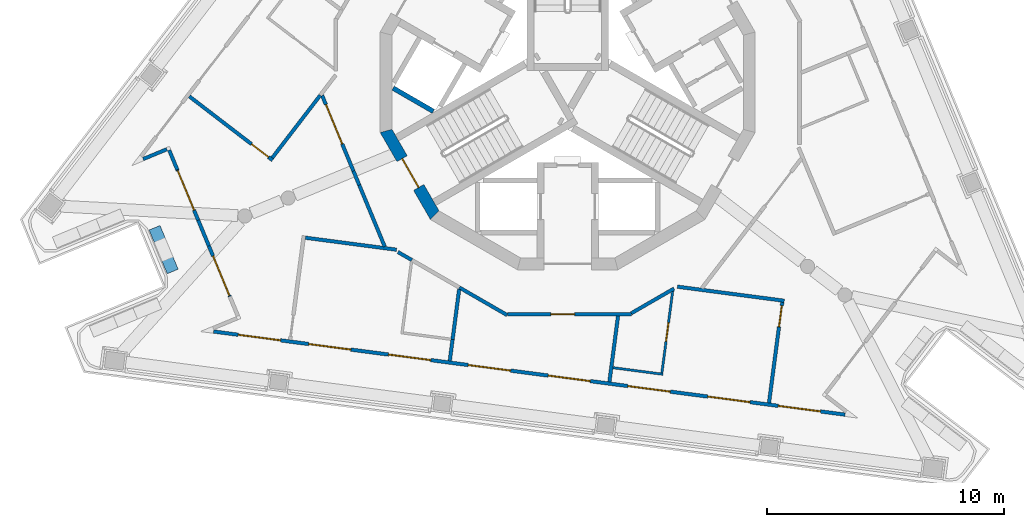
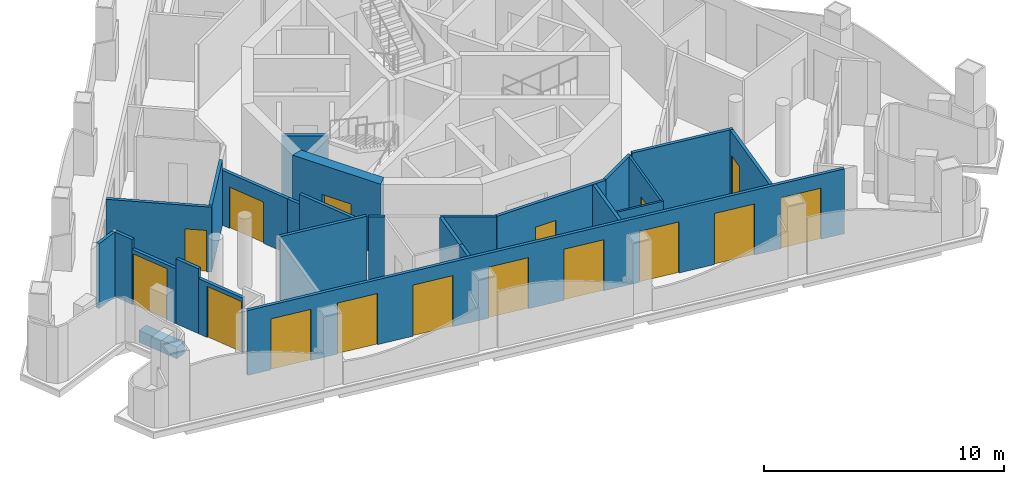
# One storey, part 2 of 12: 26 walls, 16 doors, 16 openings.
"""IFC4 building model written with IfcOpenShell, lengths in metres."""

import ifcopenshell
import ifcopenshell.guid

model = None  # the IFC model being written
_history = None  # IfcOwnerHistory: only IFC2X3 demands one
_inside = {}  # id of a spatial element -> (the spatial element, [elements in it])
_under = {}  # id of a project, library or spatial element -> (it, [spatial elements below it])
_declared = {}  # id of a project -> (the project, [libraries it declares])
_typed = {}  # id of a type object -> (the type object, [elements of that type])
_made_of = {}  # id of a material, layer set ... -> (it, [elements and type objects made of it])


def new_model(schema):
    """Start an empty IFC model of exactly this schema.

    Asked for "IFC4X3", IfcOpenShell would pick the latest addendum, in which some entities
    have other attributes; the version numbers below select the first issue.
    IFC2X3 requires an IfcOwnerHistory on every rooted entity: one is made here for all.
    """
    global model, _history
    if schema == "IFC4X3":
        model = ifcopenshell.file(schema_version=(4, 3, 0, 0))
    else:
        model = ifcopenshell.file(schema=schema)
    _inside.clear()
    _under.clear()
    _declared.clear()
    _typed.clear()
    _made_of.clear()
    _history = None
    if model.schema == "IFC2X3":
        org = make("IfcOrganization", Name="unknown")
        user = make(
            "IfcPersonAndOrganization",
            ThePerson=make("IfcPerson", FamilyName="unknown"),
            TheOrganization=org,
        )
        app = make(
            "IfcApplication",
            ApplicationDeveloper=org,
            Version="unknown",
            ApplicationFullName="unknown",
            ApplicationIdentifier="unknown",
        )
        _history = make(
            "IfcOwnerHistory",
            OwningUser=user,
            OwningApplication=app,
            ChangeAction="ADDED",
            CreationDate=0,
        )
    return model


def make(cls, **values):
    """One entity of the class cls with the attributes given. An attribute that is None is left unset."""
    return model.create_entity(
        cls, **{name: value for name, value in values.items() if value is not None}
    )


def rooted(cls, **values):
    """An entity with a GlobalId (a new one), such as an element, a storey or a relation."""
    return make(cls, GlobalId=ifcopenshell.guid.new(), OwnerHistory=_history, **values)


def si_unit(unit_type, name, prefix=None):
    """IfcSIUnit, for example si_unit("LENGTHUNIT", "METRE", prefix="MILLI")."""
    return make("IfcSIUnit", UnitType=unit_type, Prefix=prefix, Name=name)


def assignment(units):
    """IfcUnitAssignment: the units of a project."""
    return None if units is None else make("IfcUnitAssignment", Units=units)


def point(xyz):
    """IfcCartesianPoint."""
    return None if xyz is None else make("IfcCartesianPoint", Coordinates=xyz)


def direction(xyz):
    """IfcDirection."""
    return None if xyz is None else make("IfcDirection", DirectionRatios=xyz)


def frame(location, z_axis=None, x_axis=None):
    """IfcAxis2Placement3D, a coordinate frame: its origin and axes. An axis left out is left unset."""
    return make(
        "IfcAxis2Placement3D",
        Location=point(location),
        Axis=direction(z_axis),
        RefDirection=direction(x_axis),
    )


def frame_2d(location, x_axis=None):
    """IfcAxis2Placement2D, a coordinate frame in the plane: its origin and x axis."""
    return make(
        "IfcAxis2Placement2D", Location=point(location), RefDirection=direction(x_axis)
    )


def origin():
    """The frame at (0, 0, 0) with its axes left unset."""
    return frame((0.0, 0.0, 0.0))


def place(relative_to, where):
    """IfcLocalPlacement: puts the frame where relative to a parent placement (None: the world)."""
    return make(
        "IfcLocalPlacement", PlacementRelTo=relative_to, RelativePlacement=where
    )


def context(
    kind, dimensions, precision=None, world=None, true_north=None, identifier=None
):
    """IfcGeometricRepresentationContext, for example the 3D "Model" context."""
    return make(
        "IfcGeometricRepresentationContext",
        ContextIdentifier=identifier,
        ContextType=kind,
        CoordinateSpaceDimension=dimensions,
        Precision=precision,
        WorldCoordinateSystem=world,
        TrueNorth=true_north,
    )


def subcontext(parent, identifier, kind, view, scale=None):
    """IfcGeometricRepresentationSubContext, for example "Body" below "Model"."""
    return make(
        "IfcGeometricRepresentationSubContext",
        ContextIdentifier=identifier,
        ContextType=kind,
        ParentContext=parent,
        TargetScale=scale,
        TargetView=view,
    )


def project(units=None, contexts=None):
    """IfcProject with its units and contexts."""
    return rooted(
        "IfcProject",
        Name="project",
        RepresentationContexts=contexts,
        UnitsInContext=assignment(units),
    )


def spatial(cls, under=None, at=None, **own):
    """A site, building, storey or space (cls), placed at a placement, below another one or the project."""
    s = rooted(cls, ObjectPlacement=at, **own)
    if under is not None:
        _under.setdefault(under.id(), (under, []))[1].append(s)
    return s


def polyline(points):
    """IfcPolyline through the points."""
    return make("IfcPolyline", Points=[point(p) for p in points])


def profile(cls, at=None, kind="AREA", **sizes):
    """A parametric profile (cls). Its sizes go by their IFC names, for example OverallWidth=200.0."""
    return make(cls, ProfileType=kind, Position=at, **sizes)


def rectangle(**sizes):
    """IfcRectangleProfileDef."""
    return profile("IfcRectangleProfileDef", **sizes)


def outline(outer, holes=None, kind="AREA"):
    """IfcArbitraryClosedProfileDef: a profile drawn as a closed curve; with holes, ...WithVoids."""
    if holes is None:
        return make("IfcArbitraryClosedProfileDef", ProfileType=kind, OuterCurve=outer)
    return make(
        "IfcArbitraryProfileDefWithVoids",
        ProfileType=kind,
        OuterCurve=outer,
        InnerCurves=holes,
    )


def extrude(swept, where, along, depth):
    """IfcExtrudedAreaSolid: the profile swept, set in the frame where, extruded along a direction by depth."""
    return make(
        "IfcExtrudedAreaSolid",
        SweptArea=swept,
        Position=where,
        ExtrudedDirection=direction(along),
        Depth=depth,
    )


def shape(context_of_items, identifier, shape_type, items):
    """IfcShapeRepresentation: the items that make up one representation, for example the "Body"."""
    return make(
        "IfcShapeRepresentation",
        ContextOfItems=context_of_items,
        RepresentationIdentifier=identifier,
        RepresentationType=shape_type,
        Items=items,
    )


def material(Name=None, Category=None):
    """IfcMaterial."""
    return make("IfcMaterial", Name=Name, Category=Category)


def layer(
    of_material, thickness, ventilated=None, Name=None, Category=None, Priority=None
):
    """IfcMaterialLayer: one layer of a wall or slab, of a material (None: an air gap)."""
    return make(
        "IfcMaterialLayer",
        Material=of_material,
        LayerThickness=thickness,
        IsVentilated=ventilated,
        Name=Name,
        Category=Category,
        Priority=Priority,
    )


def layer_set(layers, Name=None):
    """IfcMaterialLayerSet."""
    return make("IfcMaterialLayerSet", MaterialLayers=layers, LayerSetName=Name)


def made_of(thing, what):
    """Note that an element or type object is made of a material, layer set ...; save() writes the relation."""
    if what is not None:
        _made_of.setdefault(what.id(), (what, []))[1].append(thing)
    return thing


def type_object(cls, material=None, **own):
    """A type object (cls), such as IfcWallType, which elements share."""
    return made_of(rooted(cls, **own), material)


def element(
    cls,
    number,
    at=None,
    inside=None,
    cuts=None,
    type_object=None,
    material=None,
    context=None,
    identifier="Body",
    shape_type=None,
    held_by="IfcProductDefinitionShape",
    body=None,
    shapes=None,
    **own,
):
    """One element of the class cls, such as IfcWall. Its Tag is "e" and its number.

    at: its placement. inside: the storey or other place that contains it. cuts: it is an
    opening in that element (IfcRelVoidsElement). A single representation is given by context,
    identifier, shape_type and body (its items); several are given by shapes. held_by: the class
    of the entity that holds the representations. save() writes the other relations.
    """
    e = rooted(cls, Tag="e%d" % number, ObjectPlacement=at, **own)
    if body is not None:
        shapes = [shape(context, identifier, shape_type, body)]
    if shapes is not None:
        e.Representation = make(held_by, Representations=shapes)
    if inside is not None:
        _inside.setdefault(inside.id(), (inside, []))[1].append(e)
    if cuts is not None:
        rooted(
            "IfcRelVoidsElement", RelatingBuildingElement=cuts, RelatedOpeningElement=e
        )
    if type_object is not None:
        _typed.setdefault(type_object.id(), (type_object, []))[1].append(e)
    return made_of(e, material)


def fill(opening, filler):
    """IfcRelFillsElement: the door or window that sits in an opening."""
    return rooted(
        "IfcRelFillsElement",
        RelatingOpeningElement=opening,
        RelatedBuildingElement=filler,
    )


def aggregate(whole, parts):
    """IfcRelAggregates: a whole, such as a stair, and the parts it consists of."""
    return rooted("IfcRelAggregates", RelatingObject=whole, RelatedObjects=parts)


def save(model, path):
    """Write the relations noted so far, then the file.

    IfcRelAggregates (storeys below a building ...), IfcRelContainedInSpatialStructure (elements
    in a storey), IfcRelDefinesByType, IfcRelAssociatesMaterial and IfcRelDeclares: one each for
    every whole, place, type object, material and project.
    """
    for whole, parts in _under.values():
        aggregate(whole, parts)
    for where, things in _inside.values():
        rooted(
            "IfcRelContainedInSpatialStructure",
            RelatedElements=things,
            RelatingStructure=where,
        )
    for kind, things in _typed.values():
        rooted("IfcRelDefinesByType", RelatedObjects=things, RelatingType=kind)
    for what, things in _made_of.values():
        rooted("IfcRelAssociatesMaterial", RelatedObjects=things, RelatingMaterial=what)
    for by, libraries in _declared.values():
        rooted("IfcRelDeclares", RelatingContext=by, RelatedDefinitions=libraries)
    model.write(path)


model = new_model("IFC4")

# Units and contexts
model_context = context("Model", 3, precision=1e-05, world=origin(), true_north=direction((0.0, 1.0)))
body_context = subcontext(model_context, "Body", "Model", "MODEL_VIEW")
ifc_project = project(units=[si_unit("LENGTHUNIT", "METRE"), si_unit("AREAUNIT", "SQUARE_METRE"), si_unit("VOLUMEUNIT", "CUBIC_METRE"), si_unit("PLANEANGLEUNIT", "RADIAN"), si_unit("MASSUNIT", "GRAM", prefix="KILO")], contexts=[model_context])

# Site, building, storey
site_placement = place(None, origin())
site = spatial("IfcSite", under=ifc_project, at=site_placement, CompositionType="ELEMENT")
building_placement = place(site_placement, origin())
building = spatial("IfcBuilding", under=site, at=building_placement, Name="Trine Commons Tower", CompositionType="ELEMENT")
storey_placement = place(building_placement, frame((0.0, 0.0, 293.39990234375)))
storey = spatial("IfcBuildingStorey", under=building, at=storey_placement, Name="L77", CompositionType="ELEMENT", Elevation=293.39990234375)

# Wall, openings, doors
ifc_material_1 = material(Name="Aluminium-framed insulated wall panel", Category="aluminium")
ifc_layer_1 = layer(ifc_material_1, 0.14990234375)
ifc_layer_set_1 = layer_set([ifc_layer_1], Name="Aluminium-framed insulated wall panel")
wall_type_1 = type_object("IfcWallType", Name="Glazed frame wall 150, EI 60", PredefinedType="SOLIDWALL", material=ifc_layer_set_1)
wall_1_placement = place(storey_placement, frame((91.869140625, 48.4384765625, 0.0), z_axis=(0.0, 0.0, 1.0), x_axis=(-0.991445282789, 0.130522991213, 0.0)))
wall_1 = element("IfcWall", 1, at=wall_1_placement, inside=storey, type_object=wall_type_1, Name="Glazed frame wall F3", PredefinedType="SOLIDWALL", context=body_context, shape_type="SweptSolid", body=[
    extrude(outline(polyline([(0.1494140625, 0.074951171875), (0.1494140625, -0.074951171875), (27.056884765625, -0.074951171875), (27.056884765625, 0.074951171875), (0.1494140625, 0.074951171875)])), origin(), (0.0, 0.0, 1.0), 3.300048828125),
])
opening_1_placement = place(wall_1_placement, frame((1.200439453125, 0.0, 0.0)))
opening_1 = element("IfcOpeningElement", 2, at=opening_1_placement, cuts=wall_1, Name="Opening BD-8F3-01", PredefinedType="OPENING", context=body_context, shape_type="SweptSolid", body=[
    extrude(rectangle(XDim=1.800048828125, YDim=2.60009765625, at=frame_2d((0.89990234375, 1.300048828125))), frame((0.0, 0.0849609375, 0.0), z_axis=(0.0, -1.0, 0.0), x_axis=(1.0, 0.0, 0.0)), (0.0, 0.0, 1.0), 0.169921875),
])
opening_2_placement = place(wall_1_placement, frame((4.201171875, 0.0, 0.0)))
opening_2 = element("IfcOpeningElement", 3, at=opening_2_placement, cuts=wall_1, Name="Opening BD-8F3-02", PredefinedType="OPENING", context=body_context, shape_type="SweptSolid", body=[
    extrude(rectangle(XDim=1.800048828125, YDim=2.60009765625, at=frame_2d((0.89990234375, 1.300048828125))), frame((0.0, 0.0849609375, 0.0), z_axis=(0.0, -1.0, 0.0), x_axis=(1.0, 0.0, 0.0)), (0.0, 0.0, 1.0), 0.169921875),
])
opening_3_placement = place(wall_1_placement, frame((7.60205078125, 0.0, 0.0)))
opening_3 = element("IfcOpeningElement", 4, at=opening_3_placement, cuts=wall_1, Name="Opening BD-8F3-03", PredefinedType="OPENING", context=body_context, shape_type="SweptSolid", body=[
    extrude(rectangle(XDim=1.800048828125, YDim=2.60009765625, at=frame_2d((0.89990234375, 1.300048828125))), frame((0.0, 0.0849609375, 0.0), z_axis=(0.0, -1.0, 0.0), x_axis=(1.0, 0.0, 0.0)), (0.0, 0.0, 1.0), 0.169921875),
])
opening_4_placement = place(wall_1_placement, frame((11.002685546875, 0.0, 0.0)))
opening_4 = element("IfcOpeningElement", 5, at=opening_4_placement, cuts=wall_1, Name="Opening BD-8F3-04", PredefinedType="OPENING", context=body_context, shape_type="SweptSolid", body=[
    extrude(rectangle(XDim=1.800048828125, YDim=2.60009765625, at=frame_2d((0.89990234375, 1.300048828125))), frame((0.0, 0.0849609375, 0.0), z_axis=(0.0, -1.0, 0.0), x_axis=(1.0, 0.0, 0.0)), (0.0, 0.0, 1.0), 0.169921875),
])
opening_5_placement = place(wall_1_placement, frame((14.403564453125, 0.0, 0.0)))
opening_5 = element("IfcOpeningElement", 6, at=opening_5_placement, cuts=wall_1, Name="Opening BD-8F3-05", PredefinedType="OPENING", context=body_context, shape_type="SweptSolid", body=[
    extrude(rectangle(XDim=1.800048828125, YDim=2.60009765625, at=frame_2d((0.89990234375, 1.300048828125))), frame((0.0, 0.0849609375, 0.0), z_axis=(0.0, -1.0, 0.0), x_axis=(1.0, 0.0, 0.0)), (0.0, 0.0, 1.0), 0.169921875),
])
opening_6_placement = place(wall_1_placement, frame((17.804443359375, 0.0, 0.0)))
opening_6 = element("IfcOpeningElement", 7, at=opening_6_placement, cuts=wall_1, Name="Opening BD-8F3-06", PredefinedType="OPENING", context=body_context, shape_type="SweptSolid", body=[
    extrude(rectangle(XDim=1.800048828125, YDim=2.60009765625, at=frame_2d((0.89990234375, 1.300048828125))), frame((0.0, 0.0849609375, 0.0), z_axis=(0.0, -1.0, 0.0), x_axis=(1.0, 0.0, 0.0)), (0.0, 0.0, 1.0), 0.169921875),
])
opening_7_placement = place(wall_1_placement, frame((21.205078125, 0.0, 0.0)))
opening_7 = element("IfcOpeningElement", 8, at=opening_7_placement, cuts=wall_1, Name="Opening BD-8F3-07", PredefinedType="OPENING", context=body_context, shape_type="SweptSolid", body=[
    extrude(rectangle(XDim=1.800048828125, YDim=2.60009765625, at=frame_2d((0.89990234375, 1.300048828125))), frame((0.0, 0.0849609375, 0.0), z_axis=(0.0, -1.0, 0.0), x_axis=(1.0, 0.0, 0.0)), (0.0, 0.0, 1.0), 0.169921875),
])
opening_8_placement = place(wall_1_placement, frame((24.2060546875, 0.0, 0.0)))
opening_8 = element("IfcOpeningElement", 9, at=opening_8_placement, cuts=wall_1, Name="Opening BD-8F3-08", PredefinedType="OPENING", context=body_context, shape_type="SweptSolid", body=[
    extrude(rectangle(XDim=1.800048828125, YDim=2.60009765625, at=frame_2d((0.89990234375, 1.300048828125))), frame((0.0, 0.0849609375, 0.0), z_axis=(0.0, -1.0, 0.0), x_axis=(1.0, 0.0, 0.0)), (0.0, 0.0, 1.0), 0.169921875),
])
ifc_material_2 = material(Name="Anodised aluminium frame with double glazing", Category="aluminium")
door_type_1 = type_object("IfcDoorType", Name="Sliding loggia door 1800x2600", OperationType="SLIDING_TO_LEFT", PredefinedType="DOOR", material=ifc_material_2)
door_1_placement = place(opening_1_placement, origin())
door_1 = element("IfcDoor", 10, at=door_1_placement, inside=storey, type_object=door_type_1, Name="Loggia door F3 1", OperationType="SLIDING_TO_LEFT", OverallHeight=2.60009765625, OverallWidth=1.800048828125, PredefinedType="DOOR", context=body_context, shape_type="SweptSolid", body=[
    extrude(rectangle(XDim=1.800048828125, YDim=2.60009765625, at=frame_2d((0.89990234375, 1.300048828125))), frame((0.0, 0.02490234375, 0.0), z_axis=(0.0, -1.0, 0.0), x_axis=(1.0, 0.0, 0.0)), (0.0, 0.0, 1.0), 0.050048828125),
])
fill(opening_1, door_1)
door_2_placement = place(opening_2_placement, origin())
door_2 = element("IfcDoor", 11, at=door_2_placement, inside=storey, type_object=door_type_1, Name="Loggia door F3 2", OperationType="SLIDING_TO_LEFT", OverallHeight=2.60009765625, OverallWidth=1.800048828125, PredefinedType="DOOR", context=body_context, shape_type="SweptSolid", body=[
    extrude(rectangle(XDim=1.800048828125, YDim=2.60009765625, at=frame_2d((0.89990234375, 1.300048828125))), frame((0.0, 0.02490234375, 0.0), z_axis=(0.0, -1.0, 0.0), x_axis=(1.0, 0.0, 0.0)), (0.0, 0.0, 1.0), 0.050048828125),
])
fill(opening_2, door_2)
door_3_placement = place(opening_3_placement, origin())
door_3 = element("IfcDoor", 12, at=door_3_placement, inside=storey, type_object=door_type_1, Name="Loggia door F3 3", OperationType="SLIDING_TO_LEFT", OverallHeight=2.60009765625, OverallWidth=1.800048828125, PredefinedType="DOOR", context=body_context, shape_type="SweptSolid", body=[
    extrude(rectangle(XDim=1.800048828125, YDim=2.60009765625, at=frame_2d((0.89990234375, 1.300048828125))), frame((0.0, 0.02490234375, 0.0), z_axis=(0.0, -1.0, 0.0), x_axis=(1.0, 0.0, 0.0)), (0.0, 0.0, 1.0), 0.050048828125),
])
fill(opening_3, door_3)
door_4_placement = place(opening_4_placement, origin())
door_4 = element("IfcDoor", 13, at=door_4_placement, inside=storey, type_object=door_type_1, Name="Loggia door F3 4", OperationType="SLIDING_TO_LEFT", OverallHeight=2.60009765625, OverallWidth=1.800048828125, PredefinedType="DOOR", context=body_context, shape_type="SweptSolid", body=[
    extrude(rectangle(XDim=1.800048828125, YDim=2.60009765625, at=frame_2d((0.89990234375, 1.300048828125))), frame((0.0, 0.02490234375, 0.0), z_axis=(0.0, -1.0, 0.0), x_axis=(1.0, 0.0, 0.0)), (0.0, 0.0, 1.0), 0.050048828125),
])
fill(opening_4, door_4)
door_5_placement = place(opening_5_placement, origin())
door_5 = element("IfcDoor", 14, at=door_5_placement, inside=storey, type_object=door_type_1, Name="Loggia door F3 5", OperationType="SLIDING_TO_LEFT", OverallHeight=2.60009765625, OverallWidth=1.800048828125, PredefinedType="DOOR", context=body_context, shape_type="SweptSolid", body=[
    extrude(rectangle(XDim=1.800048828125, YDim=2.60009765625, at=frame_2d((0.89990234375, 1.300048828125))), frame((0.0, 0.02490234375, 0.0), z_axis=(0.0, -1.0, 0.0), x_axis=(1.0, 0.0, 0.0)), (0.0, 0.0, 1.0), 0.050048828125),
])
fill(opening_5, door_5)
door_6_placement = place(opening_6_placement, origin())
door_6 = element("IfcDoor", 15, at=door_6_placement, inside=storey, type_object=door_type_1, Name="Loggia door F3 6", OperationType="SLIDING_TO_LEFT", OverallHeight=2.60009765625, OverallWidth=1.800048828125, PredefinedType="DOOR", context=body_context, shape_type="SweptSolid", body=[
    extrude(rectangle(XDim=1.800048828125, YDim=2.60009765625, at=frame_2d((0.89990234375, 1.300048828125))), frame((0.0, 0.02490234375, 0.0), z_axis=(0.0, -1.0, 0.0), x_axis=(1.0, 0.0, 0.0)), (0.0, 0.0, 1.0), 0.050048828125),
])
fill(opening_6, door_6)
door_7_placement = place(opening_7_placement, origin())
door_7 = element("IfcDoor", 16, at=door_7_placement, inside=storey, type_object=door_type_1, Name="Loggia door F3 7", OperationType="SLIDING_TO_LEFT", OverallHeight=2.60009765625, OverallWidth=1.800048828125, PredefinedType="DOOR", context=body_context, shape_type="SweptSolid", body=[
    extrude(rectangle(XDim=1.800048828125, YDim=2.60009765625, at=frame_2d((0.89990234375, 1.300048828125))), frame((0.0, 0.02490234375, 0.0), z_axis=(0.0, -1.0, 0.0), x_axis=(1.0, 0.0, 0.0)), (0.0, 0.0, 1.0), 0.050048828125),
])
fill(opening_7, door_7)
door_8_placement = place(opening_8_placement, origin())
door_8 = element("IfcDoor", 17, at=door_8_placement, inside=storey, type_object=door_type_1, Name="Loggia door F3 8", OperationType="SLIDING_TO_LEFT", OverallHeight=2.60009765625, OverallWidth=1.800048828125, PredefinedType="DOOR", context=body_context, shape_type="SweptSolid", body=[
    extrude(rectangle(XDim=1.800048828125, YDim=2.60009765625, at=frame_2d((0.89990234375, 1.300048828125))), frame((0.0, 0.02490234375, 0.0), z_axis=(0.0, -1.0, 0.0), x_axis=(1.0, 0.0, 0.0)), (0.0, 0.0, 1.0), 0.050048828125),
])
fill(opening_8, door_8)

# Wall, opening, door
wall_2_placement = place(storey_placement, frame((65.72802734375, 53.449462890625, 0.0), z_axis=(0.0, 0.0, 1.0), x_axis=(-0.382693948857, 0.923875176368, 0.0)))
wall_2 = element("IfcWall", 18, at=wall_2_placement, inside=storey, type_object=wall_type_1, Name="Glazed frame wall P3.2", PredefinedType="SOLIDWALL", context=body_context, shape_type="SweptSolid", body=[
    extrude(outline(polyline([(0.0, -0.074951171875), (2.310791015625, -0.074951171875), (2.310791015625, 0.074951171875), (0.0, 0.074951171875), (0.0, -0.074951171875)])), origin(), (0.0, 0.0, 1.0), 2.800048828125),
])
opening_9_placement = place(wall_2_placement, frame((0.050048828125, 0.0, 0.0)))
opening_9 = element("IfcOpeningElement", 19, at=opening_9_placement, cuts=wall_2, Name="Opening BD-8P3-01", PredefinedType="OPENING", context=body_context, shape_type="SweptSolid", body=[
    extrude(rectangle(XDim=1.800048828125, YDim=2.60009765625, at=frame_2d((0.89990234375, 1.300048828125))), frame((0.0, 0.0849609375, 0.0), z_axis=(0.0, -1.0, 0.0), x_axis=(1.0, 0.0, 0.0)), (0.0, 0.0, 1.0), 0.169921875),
])
door_9_placement = place(opening_9_placement, origin())
door_9 = element("IfcDoor", 20, at=door_9_placement, inside=storey, type_object=door_type_1, Name="Loggia door P3 1", OperationType="SLIDING_TO_LEFT", OverallHeight=2.60009765625, OverallWidth=1.800048828125, PredefinedType="DOOR", context=body_context, shape_type="SweptSolid", body=[
    extrude(rectangle(XDim=1.800048828125, YDim=2.60009765625, at=frame_2d((0.89990234375, 1.300048828125))), frame((0.0, 0.02490234375, 0.0), z_axis=(0.0, -1.0, 0.0), x_axis=(1.0, 0.0, 0.0)), (0.0, 0.0, 1.0), 0.050048828125),
])
fill(opening_9, door_9)

# Wall
wall_3_placement = place(storey_placement, frame((64.84375, 55.584228515625, 0.0), z_axis=(0.0, 0.0, 1.0), x_axis=(-0.382790839847, 0.923835035561, 0.0)))
element("IfcWall", 21, at=wall_3_placement, inside=storey, type_object=wall_type_1, Name="Glazed frame wall P3.3", PredefinedType="SOLIDWALL", context=body_context, shape_type="SweptSolid", body=[
    extrude(outline(polyline([(0.0, -0.074951171875), (1.1787109375, -0.074951171875), (1.1787109375, 0.074951171875), (0.0, 0.074951171875), (0.0, -0.074951171875)])), origin(), (0.0, 0.0, 1.0), 3.300048828125),
])

# Wall, opening, door
wall_4_placement = place(storey_placement, frame((64.392578125, 56.673095703125, 0.0), z_axis=(0.0, 0.0, 1.0), x_axis=(-0.382693948857, 0.923875176368, 0.0)))
wall_4 = element("IfcWall", 22, at=wall_4_placement, inside=storey, type_object=wall_type_1, Name="Glazed frame wall P3.4", PredefinedType="SOLIDWALL", context=body_context, shape_type="SweptSolid", body=[
    extrude(outline(polyline([(0.0, -0.074951171875), (2.310546875, -0.074951171875), (2.310546875, 0.074951171875), (0.0, 0.074951171875), (0.0, -0.074951171875)])), origin(), (0.0, 0.0, 1.0), 2.800048828125),
])
opening_10_placement = place(wall_4_placement, frame((0.460693359375, 0.0, 0.0)))
opening_10 = element("IfcOpeningElement", 23, at=opening_10_placement, cuts=wall_4, Name="Opening BD-8P3-02", PredefinedType="OPENING", context=body_context, shape_type="SweptSolid", body=[
    extrude(rectangle(XDim=1.800048828125, YDim=2.60009765625, at=frame_2d((0.89990234375, 1.300048828125))), frame((0.0, 0.0849609375, 0.0), z_axis=(0.0, -1.0, 0.0), x_axis=(1.0, 0.0, 0.0)), (0.0, 0.0, 1.0), 0.169921875),
])
door_10_placement = place(opening_10_placement, origin())
door_10 = element("IfcDoor", 24, at=door_10_placement, inside=storey, type_object=door_type_1, Name="Loggia door P3 2", OperationType="SLIDING_TO_LEFT", OverallHeight=2.60009765625, OverallWidth=1.800048828125, PredefinedType="DOOR", context=body_context, shape_type="SweptSolid", body=[
    extrude(rectangle(XDim=1.800048828125, YDim=2.60009765625, at=frame_2d((0.89990234375, 1.300048828125))), frame((0.0, 0.02490234375, 0.0), z_axis=(0.0, -1.0, 0.0), x_axis=(1.0, 0.0, 0.0)), (0.0, 0.0, 1.0), 0.050048828125),
])
fill(opening_10, door_10)

# Walls
wall_5_placement = place(storey_placement, frame((63.50830078125, 58.807861328125, 0.0), z_axis=(0.0, 0.0, 1.0), x_axis=(-0.382603377961, 0.923912688068, 0.0)))
element("IfcWall", 25, at=wall_5_placement, inside=storey, type_object=wall_type_1, Name="Glazed frame wall P3.5", PredefinedType="SOLIDWALL", context=body_context, shape_type="SweptSolid", body=[
    extrude(outline(polyline([(0.889892578125, 0.074951171875), (0.0, 0.074951171875), (0.0, -0.074951171875), (0.889892578125, -0.074951171875), (0.889892578125, 0.074951171875)])), origin(), (0.0, 0.0, 1.0), 3.300048828125),
])
wall_6_placement = place(storey_placement, frame((63.17138671875, 59.712890625, 0.0), z_axis=(0.0, 0.0, 1.0), x_axis=(-0.923837625967, -0.382784588048, 0.0)))
element("IfcWall", 26, at=wall_6_placement, inside=storey, type_object=wall_type_1, Name="Glazed frame wall R12", PredefinedType="SOLIDWALL", context=body_context, shape_type="SweptSolid", body=[
    extrude(outline(polyline([(0.110107421875, 0.074951171875), (0.110107421875, -0.074951171875), (1.19580078125, -0.074951171875), (1.19580078125, 0.074951171875), (0.110107421875, 0.074951171875)])), origin(), (0.0, 0.0, 1.0), 3.300048828125),
])
ifc_material_3 = material(Name="Planter trough, precast concrete C40/50", Category="concrete")
ifc_layer_2 = layer(ifc_material_3, 0.5)
ifc_layer_set_2 = layer_set([ifc_layer_2], Name="Planter trough, precast concrete C40/50")
wall_type_2 = type_object("IfcWallType", Name="Planter trough 500x600", PredefinedType="PARAPET", material=ifc_layer_set_2)
wall_7_placement = place(storey_placement, frame((63.314697265625, 54.50634765625, 0.0), z_axis=(0.0, 0.0, 1.0), x_axis=(-0.382707581205, 0.923869529365, 0.0)))
element("IfcWall", 27, at=wall_7_placement, inside=storey, type_object=wall_type_2, Name="Planter 2", PredefinedType="PARAPET", context=body_context, shape_type="SweptSolid", body=[
    extrude(rectangle(XDim=2.0, YDim=0.5, at=frame_2d((1.0, 0.0))), origin(), (0.0, 0.0, 1.0), 0.60009765625),
])

# Wall, opening, door
ifc_material_4 = material(Name="Concrete C50/60", Category="concrete")
ifc_layer_3 = layer(ifc_material_4, 0.5)
ifc_layer_set_3 = layer_set([ifc_layer_3], Name="Concrete C50/60")
wall_type_3 = type_object("IfcWallType", Name="RC shear wall 500 mm, C50/60", PredefinedType="SHEAR", material=ifc_layer_set_3)
wall_8_placement = place(storey_placement, frame((72.2958984375, 60.502685546875, 0.0), z_axis=(0.0, 0.0, 1.0), x_axis=(0.499992968425, -0.866029463428, 0.0)))
wall_8 = element("IfcWall", 28, at=wall_8_placement, inside=storey, type_object=wall_type_3, Name="Core wall CWH-08 L77", PredefinedType="SHEAR", context=body_context, shape_type="SweptSolid", body=[
    extrude(outline(polyline([(0.0, -0.25), (4.24462890625, -0.25), (4.110595703125, 0.25), (0.134033203125, 0.25), (0.0, -0.25)])), origin(), (0.0, 0.0, 1.0), 3.60009765625),
])
opening_11_placement = place(wall_8_placement, frame((1.42236328125, 0.0, 0.0)))
opening_11 = element("IfcOpeningElement", 29, at=opening_11_placement, cuts=wall_8, Name="Opening K19.02", PredefinedType="OPENING", context=body_context, shape_type="SweptSolid", body=[
    extrude(rectangle(XDim=1.39990234375, YDim=2.10009765625, at=frame_2d((0.699951171875, 1.050048828125))), frame((0.0, 0.260009765625, 0.0), z_axis=(0.0, -1.0, 0.0), x_axis=(1.0, 0.0, 0.0)), (0.0, 0.0, 1.0), 0.52001953125),
])
ifc_material_5 = material(Name="Steel door leaves, fire-rated", Category="steel")
door_type_2 = type_object("IfcDoorType", Name="Stair door, double leaf 1400 x 2100, FD90", OperationType="DOUBLE_DOOR_SINGLE_SWING", PredefinedType="DOOR", material=ifc_material_5)
door_11_placement = place(opening_11_placement, origin())
door_11 = element("IfcDoor", 30, at=door_11_placement, inside=storey, type_object=door_type_2, Name="Stair door to Exit stair ST2D L77", OperationType="DOUBLE_DOOR_SINGLE_SWING", OverallHeight=2.10009765625, OverallWidth=1.39990234375, PredefinedType="DOOR", context=body_context, shape_type="SweptSolid", body=[
    extrude(rectangle(XDim=1.39990234375, YDim=2.10009765625, at=frame_2d((0.699951171875, 1.050048828125))), frame((0.0, 0.02490234375, 0.0), z_axis=(0.0, -1.0, 0.0), x_axis=(1.0, 0.0, 0.0)), (0.0, 0.0, 1.0), 0.050048828125),
])
fill(opening_11, door_11)

# Wall
ifc_material_6 = material(Name="Fire-rated gypsum shaft wall system")
ifc_layer_4 = layer(ifc_material_6, 0.199951171875)
ifc_layer_set_4 = layer_set([ifc_layer_4], Name="Fire-rated gypsum shaft wall system")
wall_type_4 = type_object("IfcWallType", Name="Shaft wall 200 mm, EI 120", PredefinedType="PARTITIONING", material=ifc_layer_set_4)
wall_9_placement = place(storey_placement, frame((74.324951171875, 61.27294921875, 0.0), z_axis=(0.0, 0.0, 1.0), x_axis=(-0.86585547495, 0.500294209939, 0.0)))
element("IfcWall", 31, at=wall_9_placement, inside=storey, type_object=wall_type_4, Name="Shaft wall L77", PredefinedType="PARTITIONING", context=body_context, shape_type="SweptSolid", body=[
    extrude(rectangle(XDim=1.958740234375, YDim=0.199951171875, at=frame_2d((0.9794921875, 0.0))), origin(), (0.0, 0.0, 1.0), 3.300048828125),
])

# Wall, opening, door
ifc_material_7 = material(Name="Gypsum plasterboard on steel stud", Category="steel")
ifc_layer_5 = layer(ifc_material_7, 0.14990234375)
ifc_layer_set_5 = layer_set([ifc_layer_5], Name="Gypsum plasterboard on steel stud")
wall_type_5 = type_object("IfcWallType", Name="Unit and corridor wall 150 mm, EI 60", PredefinedType="PARTITIONING", material=ifc_layer_set_5)
wall_10_placement = place(storey_placement, frame((64.017578125, 61.903564453125, 0.0), z_axis=(0.0, 0.0, 1.0), x_axis=(0.793364364442, -0.608747061786, 0.0)))
wall_10 = element("IfcWall", 32, at=wall_10_placement, inside=storey, type_object=wall_type_5, Name="Partition 001", PredefinedType="PARTITIONING", context=body_context, shape_type="SweptSolid", body=[
    extrude(rectangle(XDim=4.43408203125, YDim=0.14990234375, at=frame_2d((2.217041015625, 0.0))), origin(), (0.0, 0.0, 1.0), 3.300048828125),
])
opening_12_placement = place(wall_10_placement, frame((3.30908203125, 0.0, 0.0)))
opening_12 = element("IfcOpeningElement", 33, at=opening_12_placement, cuts=wall_10, Name="Opening D-8C04", PredefinedType="OPENING", context=body_context, shape_type="SweptSolid", body=[
    extrude(rectangle(XDim=0.89990234375, YDim=2.10009765625, at=frame_2d((0.449951171875, 1.050048828125))), frame((0.0, 0.0849609375, 0.0), z_axis=(0.0, -1.0, 0.0), x_axis=(1.0, 0.0, 0.0)), (0.0, 0.0, 1.0), 0.169921875),
])
ifc_material_8 = material(Name="Timber fire door set", Category="wood")
door_type_3 = type_object("IfcDoorType", Name="Bedroom door 900 x 2100, FD30S", OperationType="NOTDEFINED", PredefinedType="DOOR", material=ifc_material_8)
door_12_placement = place(opening_12_placement, origin())
door_12 = element("IfcDoor", 34, at=door_12_placement, inside=storey, type_object=door_type_3, Name="Door D-8C04", OperationType="SINGLE_SWING_RIGHT", OverallHeight=2.10009765625, OverallWidth=0.89990234375, PredefinedType="DOOR", context=body_context, shape_type="SweptSolid", body=[
    extrude(rectangle(XDim=0.89990234375, YDim=2.10009765625, at=frame_2d((0.449951171875, 1.050048828125))), frame((0.0, 0.02490234375, 0.0), z_axis=(0.0, -1.0, 0.0), x_axis=(1.0, 0.0, 0.0)), (0.0, 0.0, 1.0), 0.050048828125),
])
fill(opening_12, door_12)

# Walls
wall_11_placement = place(storey_placement, frame((67.521728515625, 59.3095703125, 0.0), z_axis=(0.0, 0.0, 1.0), x_axis=(0.608922983319, 0.793229349171, 0.0)))
element("IfcWall", 35, at=wall_11_placement, inside=storey, type_object=wall_type_5, Name="Partition 004", PredefinedType="PARTITIONING", context=body_context, shape_type="SweptSolid", body=[
    extrude(rectangle(XDim=3.326171875, YDim=0.14990234375, at=frame_2d((1.6630859375, 0.0))), origin(), (0.0, 0.0, 1.0), 3.300048828125),
])
wall_12_placement = place(storey_placement, frame((68.92041015625, 55.93310546875, 0.0), z_axis=(0.0, 0.0, 1.0), x_axis=(0.991448734514, -0.130496769429, 0.0)))
element("IfcWall", 36, at=wall_12_placement, inside=storey, type_object=wall_type_5, Name="Partition 007", PredefinedType="PARTITIONING", context=body_context, shape_type="SweptSolid", body=[
    extrude(rectangle(XDim=3.8857421875, YDim=0.14990234375, at=frame_2d((1.94287109375, 0.0))), origin(), (0.0, 0.0, 1.0), 3.300048828125),
])

# Wall, opening, door
wall_13_placement = place(storey_placement, frame((69.626708984375, 61.94580078125, 0.0), z_axis=(0.0, 0.0, 1.0), x_axis=(0.382659407135, -0.923889483721, 0.0)))
wall_13 = element("IfcWall", 37, at=wall_13_placement, inside=storey, type_object=wall_type_5, Name="Partition 009", PredefinedType="PARTITIONING", context=body_context, shape_type="SweptSolid", body=[
    extrude(rectangle(XDim=3.4580078125, YDim=0.14990234375, at=frame_2d((1.72900390625, 0.0))), origin(), (0.0, 0.0, 1.0), 2.800048828125),
])
opening_13_placement = place(wall_13_placement, frame((0.421630859375, 0.0, 0.0)))
opening_13 = element("IfcOpeningElement", 38, at=opening_13_placement, cuts=wall_13, Name="Opening D-8C03", PredefinedType="OPENING", context=body_context, shape_type="SweptSolid", body=[
    extrude(rectangle(XDim=1.800048828125, YDim=2.10009765625, at=frame_2d((0.89990234375, 1.050048828125))), frame((0.0, 0.0849609375, 0.0), z_axis=(0.0, -1.0, 0.0), x_axis=(1.0, 0.0, 0.0)), (0.0, 0.0, 1.0), 0.169921875),
])
door_type_4 = type_object("IfcDoorType", Name="Cluster entrance door 1800 x 2100, double leaf, FD30S", OperationType="DOUBLE_DOOR_DOUBLE_SWING", PredefinedType="DOOR", material=ifc_material_8)
door_13_placement = place(opening_13_placement, frame((1.800048828125, 0.0, 0.0), z_axis=(0.0, 0.0, 1.0), x_axis=(-1.0, 0.0, 0.0)))
door_13 = element("IfcDoor", 39, at=door_13_placement, inside=storey, type_object=door_type_4, Name="Door D-8C03", OperationType="DOUBLE_DOOR_DOUBLE_SWING", OverallHeight=2.10009765625, OverallWidth=1.800048828125, PredefinedType="DOOR", context=body_context, shape_type="SweptSolid", body=[
    extrude(rectangle(XDim=1.800048828125, YDim=2.10009765625, at=frame_2d((0.89990234375, 1.050048828125))), frame((0.0, 0.02490234375, 0.0), z_axis=(0.0, -1.0, 0.0), x_axis=(1.0, 0.0, 0.0)), (0.0, 0.0, 1.0), 0.050048828125),
])
fill(opening_13, door_13)

# Walls
wall_14_placement = place(storey_placement, frame((70.949951171875, 58.7509765625, 0.0), z_axis=(0.0, 0.0, 1.0), x_axis=(0.383291989612, -0.923627224967, 0.0)))
element("IfcWall", 40, at=wall_14_placement, inside=storey, type_object=wall_type_5, Name="Partition 013", PredefinedType="PARTITIONING", context=body_context, shape_type="SweptSolid", body=[
    extrude(rectangle(XDim=0.64208984375, YDim=0.14990234375, at=frame_2d((0.321044921875, 0.0))), origin(), (0.0, 0.0, 1.0), 2.800048828125),
])
wall_15_placement = place(storey_placement, frame((71.196044921875, 58.157958984375, 0.0), z_axis=(0.0, 0.0, 1.0), x_axis=(0.382668413767, -0.923885753275, 0.0)))
element("IfcWall", 41, at=wall_15_placement, inside=storey, type_object=wall_type_5, Name="Partition 014", PredefinedType="PARTITIONING", context=body_context, shape_type="SweptSolid", body=[
    extrude(rectangle(XDim=2.81494140625, YDim=0.14990234375, at=frame_2d((1.407470703125, 0.0))), origin(), (0.0, 0.0, 1.0), 3.300048828125),
])
wall_16_placement = place(storey_placement, frame((72.8291015625, 55.3291015625, 0.0), z_axis=(0.0, 0.0, 1.0), x_axis=(0.866221516538, -0.499660168801, 0.0)))
element("IfcWall", 42, at=wall_16_placement, inside=storey, type_object=wall_type_5, Name="Partition 016", PredefinedType="PARTITIONING", context=body_context, shape_type="SweptSolid", body=[
    extrude(rectangle(XDim=0.6787109375, YDim=0.14990234375, at=frame_2d((0.33935546875, 0.0))), origin(), (0.0, 0.0, 1.0), 3.300048828125),
])
wall_17_placement = place(storey_placement, frame((75.020263671875, 50.732666015625, 0.0), z_axis=(0.0, 0.0, 1.0), x_axis=(0.130869029151, 0.99139966573, 0.0)))
element("IfcWall", 43, at=wall_17_placement, inside=storey, type_object=wall_type_5, Name="Partition 023", PredefinedType="PARTITIONING", context=body_context, shape_type="SweptSolid", body=[
    extrude(rectangle(XDim=0.9140625, YDim=0.14990234375, at=frame_2d((0.45703125, 0.0))), origin(), (0.0, 0.0, 1.0), 3.300048828125),
])
wall_18_placement = place(storey_placement, frame((75.132568359375, 51.581298828125, 0.0), z_axis=(0.0, 0.0, 1.0), x_axis=(0.130310457231, 0.991473239546, 0.0)))
element("IfcWall", 44, at=wall_18_placement, inside=storey, type_object=wall_type_5, Name="Partition 024", PredefinedType="PARTITIONING", context=body_context, shape_type="SweptSolid", body=[
    extrude(rectangle(XDim=2.192138671875, YDim=0.14990234375, at=frame_2d((1.09619140625, 0.0))), origin(), (0.0, 0.0, 1.0), 3.300048828125),
])
wall_19_placement = place(storey_placement, frame((75.424072265625, 53.830078125, 0.0), z_axis=(0.0, 0.0, 1.0), x_axis=(0.866079046274, -0.49990707697, 0.0)))
element("IfcWall", 45, at=wall_19_placement, inside=storey, type_object=wall_type_5, Name="Partition 025", PredefinedType="PARTITIONING", context=body_context, shape_type="SweptSolid", body=[
    extrude(rectangle(XDim=2.32763671875, YDim=0.14990234375, at=frame_2d((1.163818359375, 0.0))), origin(), (0.0, 0.0, 1.0), 3.300048828125),
])

# Wall, opening, door
wall_20_placement = place(storey_placement, frame((77.449951171875, 52.7041015625, 0.0), z_axis=(0.0, 0.0, 1.0), x_axis=(1.0, 0.0, 0.0)))
wall_20 = element("IfcWall", 46, at=wall_20_placement, inside=storey, type_object=wall_type_5, Name="Partition 027", PredefinedType="PARTITIONING", context=body_context, shape_type="SweptSolid", body=[
    extrude(rectangle(XDim=5.25, YDim=0.14990234375, at=frame_2d((2.625, 0.0))), origin(), (0.0, 0.0, 1.0), 3.300048828125),
])
opening_14_placement = place(wall_20_placement, frame((1.844970703125, 0.0, 0.0)))
opening_14 = element("IfcOpeningElement", 47, at=opening_14_placement, cuts=wall_20, Name="Opening D-8C12", PredefinedType="OPENING", context=body_context, shape_type="SweptSolid", body=[
    extrude(rectangle(XDim=1.0, YDim=2.10009765625, at=frame_2d((0.5, 1.050048828125))), frame((0.0, 0.0849609375, 0.0), z_axis=(0.0, -1.0, 0.0), x_axis=(1.0, 0.0, 0.0)), (0.0, 0.0, 1.0), 0.169921875),
])
ifc_material_9 = material(Name="Painted timber", Category="wood")
door_type_5 = type_object("IfcDoorType", Name="Amenity room door 1000 x 2100, NOT RATED", OperationType="NOTDEFINED", PredefinedType="DOOR", material=ifc_material_9)
door_14_placement = place(opening_14_placement, frame((1.0, 0.0, 0.0), z_axis=(0.0, 0.0, 1.0), x_axis=(-1.0, 0.0, 0.0)))
door_14 = element("IfcDoor", 48, at=door_14_placement, inside=storey, type_object=door_type_5, Name="Door D-8C12", OperationType="SINGLE_SWING_RIGHT", OverallHeight=2.10009765625, OverallWidth=1.0, PredefinedType="DOOR", context=body_context, shape_type="SweptSolid", body=[
    extrude(rectangle(XDim=1.0, YDim=2.10009765625, at=frame_2d((0.5, 1.050048828125))), frame((0.0, 0.02490234375, 0.0), z_axis=(0.0, -1.0, 0.0), x_axis=(1.0, 0.0, 0.0)), (0.0, 0.0, 1.0), 0.050048828125),
])
fill(opening_14, door_14)

# Walls
wall_21_placement = place(storey_placement, frame((81.76416015625, 49.8447265625, 0.0), z_axis=(0.0, 0.0, 1.0), x_axis=(0.130290377986, 0.991475878377, 0.0)))
element("IfcWall", 49, at=wall_21_placement, inside=storey, type_object=wall_type_5, Name="Partition 031", PredefinedType="PARTITIONING", context=body_context, shape_type="SweptSolid", body=[
    extrude(rectangle(XDim=2.808837890625, YDim=0.14990234375, at=frame_2d((1.404296875, 0.0))), origin(), (0.0, 0.0, 1.0), 3.300048828125),
])
wall_22_placement = place(storey_placement, frame((82.68994140625, 52.741455078125, 0.0), z_axis=(0.0, 0.0, 1.0), x_axis=(0.865883116349, 0.500246368125, 0.0)))
element("IfcWall", 50, at=wall_22_placement, inside=storey, type_object=wall_type_5, Name="Partition 033", PredefinedType="PARTITIONING", context=body_context, shape_type="SweptSolid", body=[
    extrude(rectangle(XDim=2.083984375, YDim=0.14990234375, at=frame_2d((1.0419921875, 0.0))), origin(), (0.0, 0.0, 1.0), 3.300048828125),
])
wall_23_placement = place(storey_placement, frame((84.634033203125, 53.864013671875, 0.0), z_axis=(0.0, 0.0, 1.0), x_axis=(0.99144097389, -0.130555717195, 0.0)))
element("IfcWall", 51, at=wall_23_placement, inside=storey, type_object=wall_type_5, Name="Partition 039", PredefinedType="PARTITIONING", context=body_context, shape_type="SweptSolid", body=[
    extrude(rectangle(XDim=4.555419921875, YDim=0.14990234375, at=frame_2d((2.27783203125, 0.0))), origin(), (0.0, 0.0, 1.0), 3.300048828125),
])

# Wall, opening, door
wall_24_placement = place(storey_placement, frame((88.507080078125, 48.956787109375, 0.0), z_axis=(0.0, 0.0, 1.0), x_axis=(0.130491363381, 0.991449446055, 0.0)))
wall_24 = element("IfcWall", 52, at=wall_24_placement, inside=storey, type_object=wall_type_5, Name="Partition 051", PredefinedType="PARTITIONING", context=body_context, shape_type="SweptSolid", body=[
    extrude(rectangle(XDim=4.284423828125, YDim=0.14990234375, at=frame_2d((2.14208984375, 0.0))), origin(), (0.0, 0.0, 1.0), 3.300048828125),
])
opening_15_placement = place(wall_24_placement, frame((3.234619140625, 0.0, 0.0)))
opening_15 = element("IfcOpeningElement", 53, at=opening_15_placement, cuts=wall_24, Name="Opening D-8C11", PredefinedType="OPENING", context=body_context, shape_type="SweptSolid", body=[
    extrude(rectangle(XDim=0.89990234375, YDim=2.10009765625, at=frame_2d((0.449951171875, 1.050048828125))), frame((0.0, 0.0849609375, 0.0), z_axis=(0.0, -1.0, 0.0), x_axis=(1.0, 0.0, 0.0)), (0.0, 0.0, 1.0), 0.169921875),
])
door_15_placement = place(opening_15_placement, origin())
door_15 = element("IfcDoor", 54, at=door_15_placement, inside=storey, type_object=door_type_3, Name="Door D-8C11", OperationType="SINGLE_SWING_RIGHT", OverallHeight=2.10009765625, OverallWidth=0.89990234375, PredefinedType="DOOR", context=body_context, shape_type="SweptSolid", body=[
    extrude(rectangle(XDim=0.89990234375, YDim=2.10009765625, at=frame_2d((0.449951171875, 1.050048828125))), frame((0.0, 0.02490234375, 0.0), z_axis=(0.0, -1.0, 0.0), x_axis=(1.0, 0.0, 0.0)), (0.0, 0.0, 1.0), 0.050048828125),
])
fill(opening_15, door_15)

# Wall
ifc_layer_6 = layer(ifc_material_7, 0.10009765625)
ifc_layer_set_6 = layer_set([ifc_layer_6], Name="Gypsum plasterboard on steel stud")
wall_type_6 = type_object("IfcWallType", Name="Unit partition 100 mm, no rating", PredefinedType="PARTITIONING", material=ifc_layer_set_6)
wall_25_placement = place(storey_placement, frame((81.91845703125, 50.441162109375, 0.0), z_axis=(0.0, 0.0, 1.0), x_axis=(0.991485951756, -0.13021369924, 0.0)))
element("IfcWall", 55, at=wall_25_placement, inside=storey, type_object=wall_type_6, Name="Partition 032", PredefinedType="PARTITIONING", context=body_context, shape_type="SweptSolid", body=[
    extrude(rectangle(XDim=2.124267578125, YDim=0.10009765625, at=frame_2d((1.06201171875, 0.0))), origin(), (0.0, 0.0, 1.0), 3.300048828125),
])

# Wall, opening, door
wall_26_placement = place(storey_placement, frame((83.9814453125, 50.220703125, 0.0), z_axis=(0.0, 0.0, 1.0), x_axis=(0.1308126028, 0.991407112618, 0.0)))
wall_26 = element("IfcWall", 56, at=wall_26_placement, inside=storey, type_object=wall_type_6, Name="Partition 038", PredefinedType="PARTITIONING", context=body_context, shape_type="SweptSolid", body=[
    extrude(rectangle(XDim=3.491943359375, YDim=0.10009765625, at=frame_2d((1.74609375, 0.0))), origin(), (0.0, 0.0, 1.0), 3.300048828125),
])
opening_16_placement = place(wall_26_placement, frame((1.345947265625, 0.0, 0.0)))
opening_16 = element("IfcOpeningElement", 57, at=opening_16_placement, cuts=wall_26, Name="Opening D-8C18", PredefinedType="OPENING", context=body_context, shape_type="SweptSolid", body=[
    extrude(rectangle(XDim=0.800048828125, YDim=2.10009765625, at=frame_2d((0.39990234375, 1.050048828125))), frame((0.0, 0.06005859375, 0.0), z_axis=(0.0, -1.0, 0.0), x_axis=(1.0, 0.0, 0.0)), (0.0, 0.0, 1.0), 0.1201171875),
])
door_type_6 = type_object("IfcDoorType", Name="Internal door 800 x 2100, NOT RATED", OperationType="NOTDEFINED", PredefinedType="DOOR", material=ifc_material_9)
door_16_placement = place(opening_16_placement, frame((0.800048828125, 0.0, 0.0), z_axis=(0.0, 0.0, 1.0), x_axis=(-1.0, 0.0, 0.0)))
door_16 = element("IfcDoor", 58, at=door_16_placement, inside=storey, type_object=door_type_6, Name="Door D-8C18", OperationType="SINGLE_SWING_RIGHT", OverallHeight=2.10009765625, OverallWidth=0.800048828125, PredefinedType="DOOR", context=body_context, shape_type="SweptSolid", body=[
    extrude(rectangle(XDim=0.800048828125, YDim=2.10009765625, at=frame_2d((0.39990234375, 1.050048828125))), frame((0.0, 0.02490234375, 0.0), z_axis=(0.0, -1.0, 0.0), x_axis=(1.0, 0.0, 0.0)), (0.0, 0.0, 1.0), 0.050048828125),
])
fill(opening_16, door_16)

save(model, "model.ifc")
